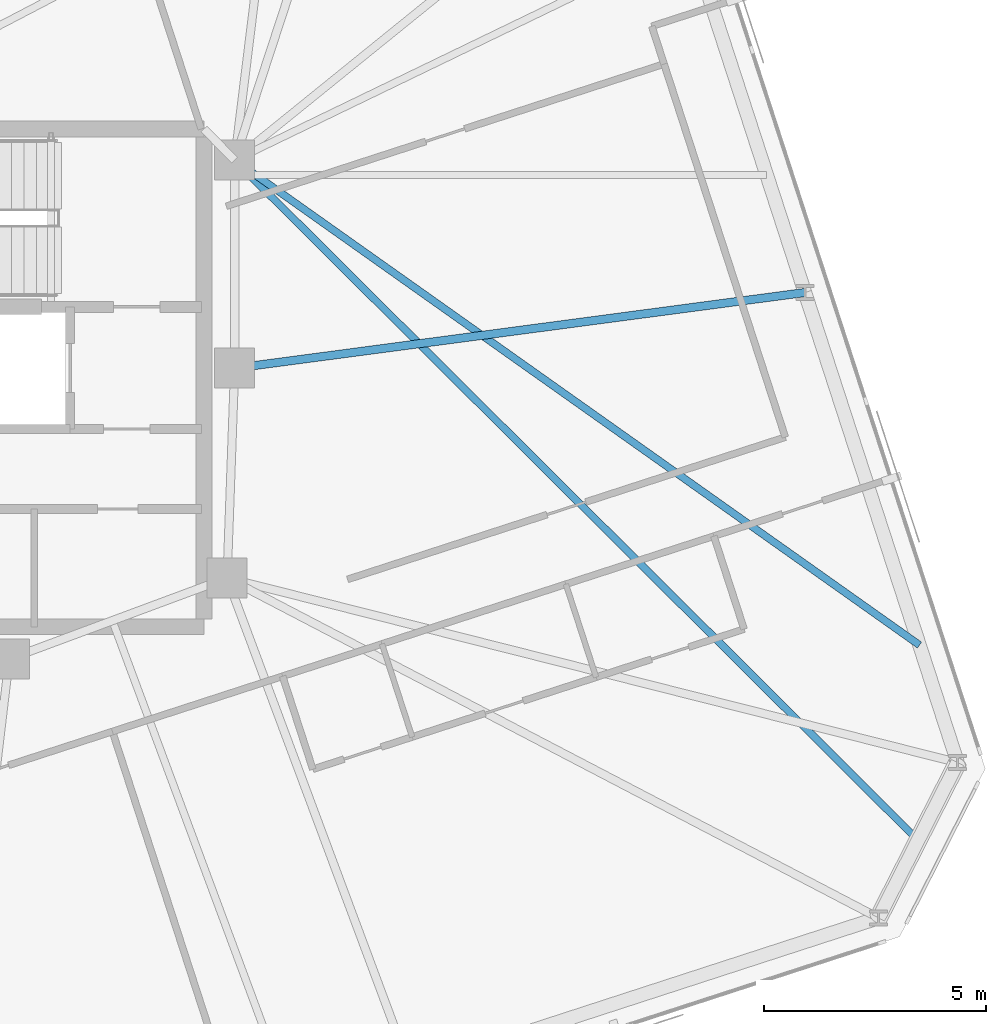
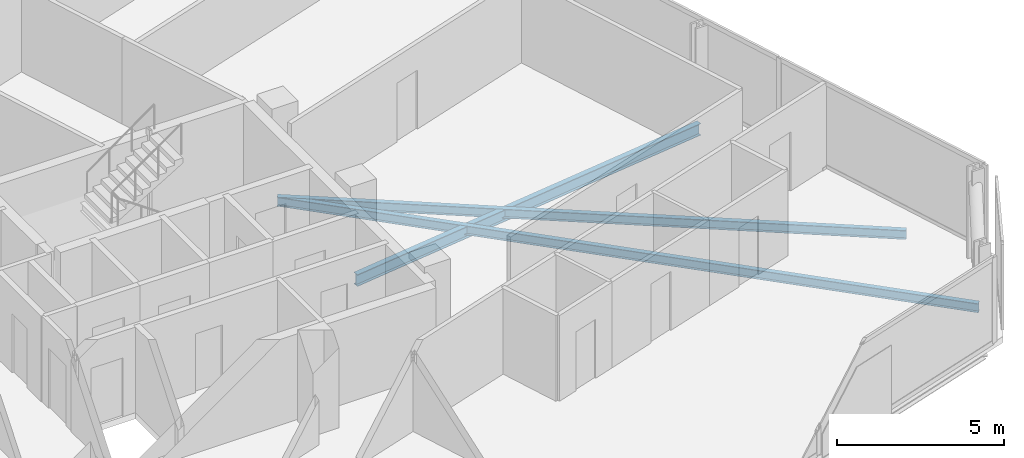
# One storey, part 8 of 20: 3 beams.
"""IFC4 building model written with IfcOpenShell, lengths in metres."""

from ifc_helpers import new_model, si_unit, direction, frame, origin, origin_2d, place, context, subcontext, project, spatial, i_section, extrude, material, material_profile, profile_set, type_object, element, save


model = new_model("IFC4")

# Units and contexts
model_context = context("Model", 3, precision=1e-05, world=origin(), true_north=direction((0.0, 1.0)))
body_context = subcontext(model_context, "Body", "Model", "MODEL_VIEW")
ifc_project = project(units=[si_unit("LENGTHUNIT", "METRE"), si_unit("AREAUNIT", "SQUARE_METRE"), si_unit("VOLUMEUNIT", "CUBIC_METRE"), si_unit("PLANEANGLEUNIT", "RADIAN"), si_unit("MASSUNIT", "GRAM", prefix="KILO")], contexts=[model_context])

# Site, building, storey
site_placement = place(None, origin())
site = spatial("IfcSite", under=ifc_project, at=site_placement, CompositionType="ELEMENT")
building_placement = place(site_placement, origin())
building = spatial("IfcBuilding", under=site, at=building_placement, Name="Menara Jurai Vektor", CompositionType="ELEMENT")
storey_placement = place(building_placement, frame((0.0, 0.0, 237.699951171875)))
storey = spatial("IfcBuildingStorey", under=building, at=storey_placement, Name="L63", CompositionType="ELEMENT", Elevation=237.699951171875)

# Beams
ifc_material = material(Name="Steel S355", Category="steel")
ifc_material_profile_1 = material_profile(ifc_material, i_section(OverallWidth=0.18505859375, OverallDepth=0.429931640625, WebThickness=0.010986328125, FlangeThickness=0.01806640625, at=origin_2d()), Name="PG 430x185x76")
ifc_profile_set_1 = profile_set([ifc_material_profile_1], Name="Steel S355")
beam_type_1 = type_object("IfcBeamType", Name="STR-BM-430", PredefinedType="BEAM", material=ifc_profile_set_1)
beam_1_placement = place(storey_placement, frame((28.07763671875, 1.92236328125, -0.43994140625), z_axis=(-0.99130829243, -0.131559375797, 0.0), x_axis=(0.131559375797, -0.99130829243, 0.0)))
element("IfcBeam", 1, at=beam_1_placement, inside=storey, type_object=beam_type_1, Name="Radial Floor Girder L63-E2", PredefinedType="BEAM", context=body_context, shape_type="SweptSolid", body=[
    extrude(i_section(OverallWidth=0.18505859375, OverallDepth=0.429931640625, WebThickness=0.010986328125, FlangeThickness=0.01806640625, at=origin_2d()), origin(), (0.0, 0.0, 1.0), 12.940185546875),
])
ifc_material_profile_2 = material_profile(ifc_material, i_section(OverallWidth=0.1650390625, OverallDepth=0.330078125, WebThickness=0.009033203125, FlangeThickness=0.013916015625, at=origin_2d()), Name="PG 330x165x46")
ifc_profile_set_2 = profile_set([ifc_material_profile_2], Name="Steel S355")
beam_type_2 = type_object("IfcBeamType", Name="STR-JS-330", PredefinedType="JOIST", material=ifc_profile_set_2)
beam_2_placement = place(storey_placement, frame((30.62353515625, -10.398681640625, -0.389892578125), z_axis=(-0.70883256901, 0.705376771032, 0.0), x_axis=(-0.705376771032, -0.70883256901, 0.0)))
element("IfcBeam", 2, at=beam_2_placement, inside=storey, type_object=beam_type_2, Name="Radial Secondary Floor Joist L63-JS09", PredefinedType="JOIST", context=body_context, shape_type="SweptSolid", body=[
    extrude(i_section(OverallWidth=0.1650390625, OverallDepth=0.330078125, WebThickness=0.009033203125, FlangeThickness=0.013916015625, at=origin_2d()), origin(), (0.0, 0.0, 1.0), 21.6884765625),
])
beam_3_placement = place(storey_placement, frame((30.654296875, -6.00830078125, -0.389892578125), z_axis=(-0.816103783972, 0.577905367501, 0.0), x_axis=(-0.577905367501, -0.816103783972, 0.0)))
element("IfcBeam", 3, at=beam_3_placement, inside=storey, type_object=beam_type_2, Name="Radial Secondary Floor Joist L63-JS10", PredefinedType="JOIST", context=body_context, shape_type="SweptSolid", body=[
    extrude(i_section(OverallWidth=0.1650390625, OverallDepth=0.330078125, WebThickness=0.009033203125, FlangeThickness=0.013916015625, at=origin_2d()), origin(), (0.0, 0.0, 1.0), 18.87548828125),
])

save(model, "model.ifc")
